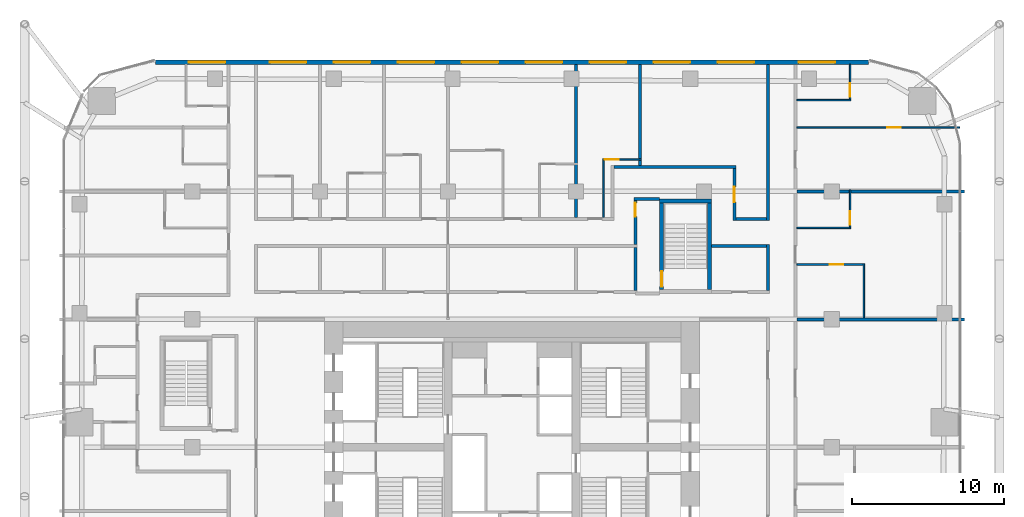
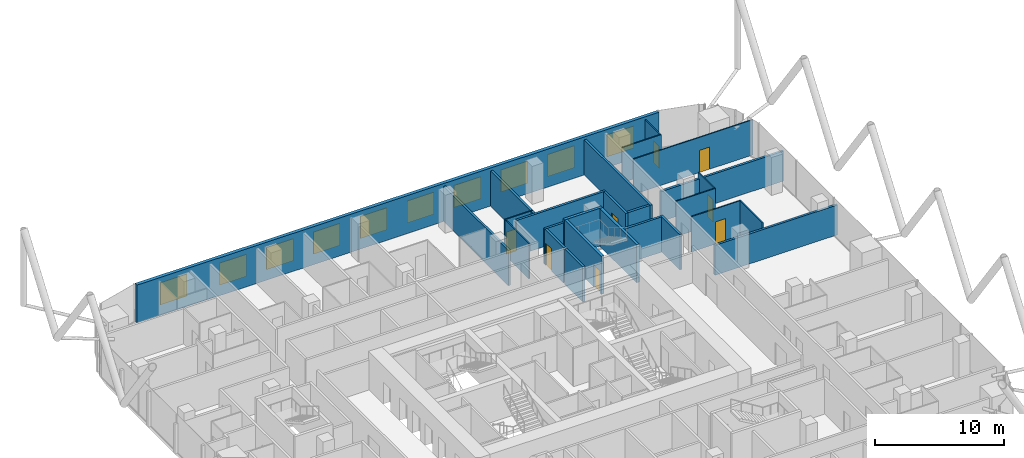
# One storey, part 35 of 38: 26 walls, 10 windows, 8 doors, 18 openings.
"""IFC4 building model written with IfcOpenShell, lengths in metres."""

from ifc_helpers import new_model, si_unit, direction, frame, frame_2d, origin, place, context, subcontext, project, spatial, rectangle, extrude, material, layer, layer_set, type_object, element, fill, save


model = new_model("IFC4")

# Units and contexts
model_context = context("Model", 3, precision=1e-05, world=origin(), true_north=direction((0.0, 1.0)))
body_context = subcontext(model_context, "Body", "Model", "MODEL_VIEW")
ifc_project = project(units=[si_unit("LENGTHUNIT", "METRE"), si_unit("AREAUNIT", "SQUARE_METRE"), si_unit("VOLUMEUNIT", "CUBIC_METRE"), si_unit("PLANEANGLEUNIT", "RADIAN"), si_unit("MASSUNIT", "GRAM", prefix="KILO")], contexts=[model_context])

# Site, building, storey
site_placement = place(None, origin())
site = spatial("IfcSite", under=ifc_project, at=site_placement, CompositionType="ELEMENT")
building_placement = place(site_placement, origin())
building = spatial("IfcBuilding", under=site, at=building_placement, Name="Marenta Gate Hotel Tower", CompositionType="ELEMENT")
storey_placement = place(building_placement, frame((0.0, 0.0, 54.5)))
storey = spatial("IfcBuildingStorey", under=building, at=storey_placement, Name="L11", CompositionType="ELEMENT", Elevation=54.5)

# Wall, openings, windows
ifc_material_1 = material(Name="Concrete C40 board-marked", Category="concrete")
ifc_layer_1 = layer(ifc_material_1, 0.300048828125)
ifc_layer_set_1 = layer_set([ifc_layer_1], Name="Concrete C40 board-marked")
wall_type_1 = type_object("IfcWallType", Name="Board-marked concrete wall 300 mm", PredefinedType="NOTDEFINED", material=ifc_layer_set_1)
wall_1_placement = place(storey_placement, frame((23.406005859375, 33.68994140625, 0.0), z_axis=(0.0, 0.0, 1.0), x_axis=(-1.0, 0.0, 0.0)))
wall_1 = element("IfcWall", 1, at=wall_1_placement, inside=storey, type_object=wall_type_1, Name="L11-CLD-N00", PredefinedType="NOTDEFINED", context=body_context, shape_type="SweptSolid", body=[
    extrude(rectangle(XDim=46.81201171875, YDim=0.300048828125, at=frame_2d((23.406005859375, 0.0))), origin(), (0.0, 0.0, 1.0), 3.60009765625),
])
opening_1_placement = place(wall_1_placement, frame((2.185791015625, 0.0, 0.89990234375)))
opening_1 = element("IfcOpeningElement", 2, at=opening_1_placement, cuts=wall_1, Name="Opening W1", PredefinedType="OPENING", context=body_context, shape_type="SweptSolid", body=[
    extrude(rectangle(XDim=2.39990234375, YDim=2.10009765625, at=frame_2d((1.199951171875, 1.050048828125))), frame((0.0, 0.14990234375, 0.0), z_axis=(0.0, -1.0, 0.0), x_axis=(1.0, 0.0, 0.0)), (0.0, 0.0, 1.0), 0.300048828125),
])
opening_2_placement = place(wall_1_placement, frame((7.505859375, 0.0, 0.89990234375)))
opening_2 = element("IfcOpeningElement", 3, at=opening_2_placement, cuts=wall_1, Name="Opening W1", PredefinedType="OPENING", context=body_context, shape_type="SweptSolid", body=[
    extrude(rectangle(XDim=2.39990234375, YDim=2.10009765625, at=frame_2d((1.199951171875, 1.050048828125))), frame((0.0, 0.14990234375, 0.0), z_axis=(0.0, -1.0, 0.0), x_axis=(1.0, 0.0, 0.0)), (0.0, 0.0, 1.0), 0.300048828125),
])
opening_3_placement = place(wall_1_placement, frame((11.705810546875, 0.0, 0.89990234375)))
opening_3 = element("IfcOpeningElement", 4, at=opening_3_placement, cuts=wall_1, Name="Opening W1", PredefinedType="OPENING", context=body_context, shape_type="SweptSolid", body=[
    extrude(rectangle(XDim=2.39990234375, YDim=2.10009765625, at=frame_2d((1.199951171875, 1.050048828125))), frame((0.0, 0.14990234375, 0.0), z_axis=(0.0, -1.0, 0.0), x_axis=(1.0, 0.0, 0.0)), (0.0, 0.0, 1.0), 0.300048828125),
])
opening_4_placement = place(wall_1_placement, frame((15.906005859375, 0.0, 0.89990234375)))
opening_4 = element("IfcOpeningElement", 5, at=opening_4_placement, cuts=wall_1, Name="Opening W1", PredefinedType="OPENING", context=body_context, shape_type="SweptSolid", body=[
    extrude(rectangle(XDim=2.39990234375, YDim=2.10009765625, at=frame_2d((1.199951171875, 1.050048828125))), frame((0.0, 0.14990234375, 0.0), z_axis=(0.0, -1.0, 0.0), x_axis=(1.0, 0.0, 0.0)), (0.0, 0.0, 1.0), 0.300048828125),
])
opening_5_placement = place(wall_1_placement, frame((20.10595703125, 0.0, 0.89990234375)))
opening_5 = element("IfcOpeningElement", 6, at=opening_5_placement, cuts=wall_1, Name="Opening W1", PredefinedType="OPENING", context=body_context, shape_type="SweptSolid", body=[
    extrude(rectangle(XDim=2.39990234375, YDim=2.10009765625, at=frame_2d((1.199951171875, 1.050048828125))), frame((0.0, 0.14990234375, 0.0), z_axis=(0.0, -1.0, 0.0), x_axis=(1.0, 0.0, 0.0)), (0.0, 0.0, 1.0), 0.300048828125),
])
opening_6_placement = place(wall_1_placement, frame((24.305908203125, 0.0, 0.89990234375)))
opening_6 = element("IfcOpeningElement", 7, at=opening_6_placement, cuts=wall_1, Name="Opening W1", PredefinedType="OPENING", context=body_context, shape_type="SweptSolid", body=[
    extrude(rectangle(XDim=2.39990234375, YDim=2.10009765625, at=frame_2d((1.199951171875, 1.050048828125))), frame((0.0, 0.14990234375, 0.0), z_axis=(0.0, -1.0, 0.0), x_axis=(1.0, 0.0, 0.0)), (0.0, 0.0, 1.0), 0.300048828125),
])
opening_7_placement = place(wall_1_placement, frame((28.505859375, 0.0, 0.89990234375)))
opening_7 = element("IfcOpeningElement", 8, at=opening_7_placement, cuts=wall_1, Name="Opening W1", PredefinedType="OPENING", context=body_context, shape_type="SweptSolid", body=[
    extrude(rectangle(XDim=2.39990234375, YDim=2.10009765625, at=frame_2d((1.199951171875, 1.050048828125))), frame((0.0, 0.14990234375, 0.0), z_axis=(0.0, -1.0, 0.0), x_axis=(1.0, 0.0, 0.0)), (0.0, 0.0, 1.0), 0.300048828125),
])
opening_8_placement = place(wall_1_placement, frame((32.705810546875, 0.0, 0.89990234375)))
opening_8 = element("IfcOpeningElement", 9, at=opening_8_placement, cuts=wall_1, Name="Opening W1", PredefinedType="OPENING", context=body_context, shape_type="SweptSolid", body=[
    extrude(rectangle(XDim=2.39990234375, YDim=2.10009765625, at=frame_2d((1.199951171875, 1.050048828125))), frame((0.0, 0.14990234375, 0.0), z_axis=(0.0, -1.0, 0.0), x_axis=(1.0, 0.0, 0.0)), (0.0, 0.0, 1.0), 0.300048828125),
])
opening_9_placement = place(wall_1_placement, frame((36.906005859375, 0.0, 0.89990234375)))
opening_9 = element("IfcOpeningElement", 10, at=opening_9_placement, cuts=wall_1, Name="Opening W1", PredefinedType="OPENING", context=body_context, shape_type="SweptSolid", body=[
    extrude(rectangle(XDim=2.39990234375, YDim=2.10009765625, at=frame_2d((1.199951171875, 1.050048828125))), frame((0.0, 0.14990234375, 0.0), z_axis=(0.0, -1.0, 0.0), x_axis=(1.0, 0.0, 0.0)), (0.0, 0.0, 1.0), 0.300048828125),
])
opening_10_placement = place(wall_1_placement, frame((42.225830078125, 0.0, 0.89990234375)))
opening_10 = element("IfcOpeningElement", 11, at=opening_10_placement, cuts=wall_1, Name="Opening W1", PredefinedType="OPENING", context=body_context, shape_type="SweptSolid", body=[
    extrude(rectangle(XDim=2.39990234375, YDim=2.10009765625, at=frame_2d((1.199951171875, 1.050048828125))), frame((0.0, 0.14990234375, 0.0), z_axis=(0.0, -1.0, 0.0), x_axis=(1.0, 0.0, 0.0)), (0.0, 0.0, 1.0), 0.300048828125),
])
ifc_material_2 = material(Name="Tinted insulated glass in bronze anodised frame", Category="glass")
window_type = type_object("IfcWindowType", Name="Window W1 2400x2100 bronze frame", PartitioningType="SINGLE_PANEL", PredefinedType="WINDOW", material=ifc_material_2)
window_1_placement = place(opening_1_placement, origin())
window_1 = element("IfcWindow", 12, at=window_1_placement, inside=storey, type_object=window_type, Name="Window W1", OverallHeight=2.10009765625, OverallWidth=2.39990234375, PartitioningType="SINGLE_PANEL", PredefinedType="WINDOW", context=body_context, shape_type="SweptSolid", body=[
    extrude(rectangle(XDim=2.39990234375, YDim=2.10009765625, at=frame_2d((1.199951171875, 1.050048828125))), frame((0.0, 0.030029296875, 0.0), z_axis=(0.0, -1.0, 0.0), x_axis=(1.0, 0.0, 0.0)), (0.0, 0.0, 1.0), 0.06005859375),
])
fill(opening_1, window_1)
window_2_placement = place(opening_2_placement, origin())
window_2 = element("IfcWindow", 13, at=window_2_placement, inside=storey, type_object=window_type, Name="Window W1", OverallHeight=2.10009765625, OverallWidth=2.39990234375, PartitioningType="SINGLE_PANEL", PredefinedType="WINDOW", context=body_context, shape_type="SweptSolid", body=[
    extrude(rectangle(XDim=2.39990234375, YDim=2.10009765625, at=frame_2d((1.199951171875, 1.050048828125))), frame((0.0, 0.030029296875, 0.0), z_axis=(0.0, -1.0, 0.0), x_axis=(1.0, 0.0, 0.0)), (0.0, 0.0, 1.0), 0.06005859375),
])
fill(opening_2, window_2)
window_3_placement = place(opening_3_placement, origin())
window_3 = element("IfcWindow", 14, at=window_3_placement, inside=storey, type_object=window_type, Name="Window W1", OverallHeight=2.10009765625, OverallWidth=2.39990234375, PartitioningType="SINGLE_PANEL", PredefinedType="WINDOW", context=body_context, shape_type="SweptSolid", body=[
    extrude(rectangle(XDim=2.39990234375, YDim=2.10009765625, at=frame_2d((1.199951171875, 1.050048828125))), frame((0.0, 0.030029296875, 0.0), z_axis=(0.0, -1.0, 0.0), x_axis=(1.0, 0.0, 0.0)), (0.0, 0.0, 1.0), 0.06005859375),
])
fill(opening_3, window_3)
window_4_placement = place(opening_4_placement, origin())
window_4 = element("IfcWindow", 15, at=window_4_placement, inside=storey, type_object=window_type, Name="Window W1", OverallHeight=2.10009765625, OverallWidth=2.39990234375, PartitioningType="SINGLE_PANEL", PredefinedType="WINDOW", context=body_context, shape_type="SweptSolid", body=[
    extrude(rectangle(XDim=2.39990234375, YDim=2.10009765625, at=frame_2d((1.199951171875, 1.050048828125))), frame((0.0, 0.030029296875, 0.0), z_axis=(0.0, -1.0, 0.0), x_axis=(1.0, 0.0, 0.0)), (0.0, 0.0, 1.0), 0.06005859375),
])
fill(opening_4, window_4)
window_5_placement = place(opening_5_placement, origin())
window_5 = element("IfcWindow", 16, at=window_5_placement, inside=storey, type_object=window_type, Name="Window W1", OverallHeight=2.10009765625, OverallWidth=2.39990234375, PartitioningType="SINGLE_PANEL", PredefinedType="WINDOW", context=body_context, shape_type="SweptSolid", body=[
    extrude(rectangle(XDim=2.39990234375, YDim=2.10009765625, at=frame_2d((1.199951171875, 1.050048828125))), frame((0.0, 0.030029296875, 0.0), z_axis=(0.0, -1.0, 0.0), x_axis=(1.0, 0.0, 0.0)), (0.0, 0.0, 1.0), 0.06005859375),
])
fill(opening_5, window_5)
window_6_placement = place(opening_6_placement, origin())
window_6 = element("IfcWindow", 17, at=window_6_placement, inside=storey, type_object=window_type, Name="Window W1", OverallHeight=2.10009765625, OverallWidth=2.39990234375, PartitioningType="SINGLE_PANEL", PredefinedType="WINDOW", context=body_context, shape_type="SweptSolid", body=[
    extrude(rectangle(XDim=2.39990234375, YDim=2.10009765625, at=frame_2d((1.199951171875, 1.050048828125))), frame((0.0, 0.030029296875, 0.0), z_axis=(0.0, -1.0, 0.0), x_axis=(1.0, 0.0, 0.0)), (0.0, 0.0, 1.0), 0.06005859375),
])
fill(opening_6, window_6)
window_7_placement = place(opening_7_placement, origin())
window_7 = element("IfcWindow", 18, at=window_7_placement, inside=storey, type_object=window_type, Name="Window W1", OverallHeight=2.10009765625, OverallWidth=2.39990234375, PartitioningType="SINGLE_PANEL", PredefinedType="WINDOW", context=body_context, shape_type="SweptSolid", body=[
    extrude(rectangle(XDim=2.39990234375, YDim=2.10009765625, at=frame_2d((1.199951171875, 1.050048828125))), frame((0.0, 0.030029296875, 0.0), z_axis=(0.0, -1.0, 0.0), x_axis=(1.0, 0.0, 0.0)), (0.0, 0.0, 1.0), 0.06005859375),
])
fill(opening_7, window_7)
window_8_placement = place(opening_8_placement, origin())
window_8 = element("IfcWindow", 19, at=window_8_placement, inside=storey, type_object=window_type, Name="Window W1", OverallHeight=2.10009765625, OverallWidth=2.39990234375, PartitioningType="SINGLE_PANEL", PredefinedType="WINDOW", context=body_context, shape_type="SweptSolid", body=[
    extrude(rectangle(XDim=2.39990234375, YDim=2.10009765625, at=frame_2d((1.199951171875, 1.050048828125))), frame((0.0, 0.030029296875, 0.0), z_axis=(0.0, -1.0, 0.0), x_axis=(1.0, 0.0, 0.0)), (0.0, 0.0, 1.0), 0.06005859375),
])
fill(opening_8, window_8)
window_9_placement = place(opening_9_placement, origin())
window_9 = element("IfcWindow", 20, at=window_9_placement, inside=storey, type_object=window_type, Name="Window W1", OverallHeight=2.10009765625, OverallWidth=2.39990234375, PartitioningType="SINGLE_PANEL", PredefinedType="WINDOW", context=body_context, shape_type="SweptSolid", body=[
    extrude(rectangle(XDim=2.39990234375, YDim=2.10009765625, at=frame_2d((1.199951171875, 1.050048828125))), frame((0.0, 0.030029296875, 0.0), z_axis=(0.0, -1.0, 0.0), x_axis=(1.0, 0.0, 0.0)), (0.0, 0.0, 1.0), 0.06005859375),
])
fill(opening_9, window_9)
window_10_placement = place(opening_10_placement, origin())
window_10 = element("IfcWindow", 21, at=window_10_placement, inside=storey, type_object=window_type, Name="Window W1", OverallHeight=2.10009765625, OverallWidth=2.39990234375, PartitioningType="SINGLE_PANEL", PredefinedType="WINDOW", context=body_context, shape_type="SweptSolid", body=[
    extrude(rectangle(XDim=2.39990234375, YDim=2.10009765625, at=frame_2d((1.199951171875, 1.050048828125))), frame((0.0, 0.030029296875, 0.0), z_axis=(0.0, -1.0, 0.0), x_axis=(1.0, 0.0, 0.0)), (0.0, 0.0, 1.0), 0.06005859375),
])
fill(opening_10, window_10)

# Wall
ifc_material_3 = material(Name="Concrete C40", Category="concrete")
ifc_layer_2 = layer(ifc_material_3, 0.25)
ifc_layer_set_2 = layer_set([ifc_layer_2], Name="Concrete C40")
wall_type_2 = type_object("IfcWallType", Name="Remote stair enclosure wall 250 REI 180", PredefinedType="SHEAR", material=ifc_layer_set_2)
wall_2_placement = place(storey_placement, frame((9.699951171875, 24.574951171875, 0.10009765625), z_axis=(0.0, 0.0, 1.0), x_axis=(1.0, 0.0, 0.0)))
element("IfcWall", 22, at=wall_2_placement, inside=storey, type_object=wall_type_2, Name="L11-RS-Z1-4-W2", PredefinedType="SHEAR", context=body_context, shape_type="SweptSolid", body=[
    extrude(rectangle(XDim=3.400146484375, YDim=0.25, at=frame_2d((1.7001953125, 0.0))), origin(), (0.0, 0.0, 1.0), 3.599853515625),
])

# Wall, opening, door
wall_3_placement = place(storey_placement, frame((9.824951171875, 18.75, 0.10009765625), z_axis=(0.0, 0.0, 1.0), x_axis=(0.0, 1.0, 0.0)))
wall_3 = element("IfcWall", 23, at=wall_3_placement, inside=storey, type_object=wall_type_2, Name="L11-RS-Z1-4-W3", PredefinedType="SHEAR", context=body_context, shape_type="SweptSolid", body=[
    extrude(rectangle(XDim=5.699951171875, YDim=0.25, at=frame_2d((2.85009765625, 0.0))), origin(), (0.0, 0.0, 1.0), 3.599853515625),
])
opening_11_placement = place(wall_3_placement, frame((0.199951171875, 0.0, 0.0)))
opening_11 = element("IfcOpeningElement", 24, at=opening_11_placement, cuts=wall_3, Name="Opening VD", PredefinedType="OPENING", context=body_context, shape_type="SweptSolid", body=[
    extrude(rectangle(XDim=1.0, YDim=2.10009765625, at=frame_2d((0.5, 1.050048828125))), frame((0.0, 0.125, 0.0), z_axis=(0.0, -1.0, 0.0), x_axis=(1.0, 0.0, 0.0)), (0.0, 0.0, 1.0), 0.25),
])
ifc_material_4 = material(Name="Steel", Category="steel")
door_type_1 = type_object("IfcDoorType", Name="Stair vestibule door 1000x2100 FD60", OperationType="SINGLE_SWING_LEFT", PredefinedType="DOOR", material=ifc_material_4)
door_1_placement = place(opening_11_placement, origin())
door_1 = element("IfcDoor", 25, at=door_1_placement, inside=storey, type_object=door_type_1, Name="VD", OperationType="SINGLE_SWING_LEFT", OverallHeight=2.10009765625, OverallWidth=1.0, PredefinedType="DOOR", context=body_context, shape_type="SweptSolid", body=[
    extrude(rectangle(XDim=1.0, YDim=2.10009765625, at=frame_2d((0.5, 1.050048828125))), frame((0.0, 0.02490234375, 0.0), z_axis=(0.0, -1.0, 0.0), x_axis=(1.0, 0.0, 0.0)), (0.0, 0.0, 1.0), 0.050048828125),
])
fill(opening_11, door_1)

# Walls
wall_4_placement = place(storey_placement, frame((12.97509765625, 18.75, 0.10009765625), z_axis=(0.0, 0.0, 1.0), x_axis=(0.0, 1.0, 0.0)))
element("IfcWall", 26, at=wall_4_placement, inside=storey, type_object=wall_type_2, Name="L11-RS-Z1-4-W4", PredefinedType="SHEAR", context=body_context, shape_type="SweptSolid", body=[
    extrude(rectangle(XDim=5.699951171875, YDim=0.25, at=frame_2d((2.85009765625, 0.0))), origin(), (0.0, 0.0, 1.0), 3.599853515625),
])
ifc_material_5 = material(Name="Gypsum board on steel stud", Category="steel")
ifc_layer_3 = layer(ifc_material_5, 0.199951171875)
ifc_layer_set_3 = layer_set([ifc_layer_3], Name="Gypsum board on steel stud")
wall_type_3 = type_object("IfcWallType", Name="Room corridor wall 200 EI 60", PredefinedType="PARTITIONING", material=ifc_layer_set_3)
wall_5_placement = place(storey_placement, frame((16.800048828125, 18.699951171875, 0.0), z_axis=(0.0, 0.0, 1.0), x_axis=(0.0, 1.0, 0.0)))
element("IfcWall", 27, at=wall_5_placement, inside=storey, type_object=wall_type_3, Name="L11-PTN-W012", PredefinedType="PARTITIONING", context=body_context, shape_type="SweptSolid", body=[
    extrude(rectangle(XDim=3.0, YDim=0.199951171875, at=frame_2d((1.5, 0.0))), origin(), (0.0, 0.0, 1.0), 3.340087890625),
])
wall_6_placement = place(storey_placement, frame((16.800048828125, 23.300048828125, 0.0), z_axis=(0.0, 0.0, 1.0), x_axis=(0.0, 1.0, 0.0)))
element("IfcWall", 28, at=wall_6_placement, inside=storey, type_object=wall_type_3, Name="L11-PTN-W013", PredefinedType="PARTITIONING", context=body_context, shape_type="SweptSolid", body=[
    extrude(rectangle(XDim=10.239990234375, YDim=0.199951171875, at=frame_2d((5.1201171875, 0.0))), origin(), (0.0, 0.0, 1.0), 3.340087890625),
])

# Wall, opening, door
wall_7_placement = place(storey_placement, frame((14.60009765625, 23.300048828125, 0.0), z_axis=(0.0, 0.0, 1.0), x_axis=(0.0, 1.0, 0.0)))
wall_7 = element("IfcWall", 29, at=wall_7_placement, inside=storey, type_object=wall_type_3, Name="L11-PTN-W025", PredefinedType="PARTITIONING", context=body_context, shape_type="SweptSolid", body=[
    extrude(rectangle(XDim=3.39990234375, YDim=0.199951171875, at=frame_2d((1.699951171875, 0.0))), origin(), (0.0, 0.0, 1.0), 3.340087890625),
])
opening_12_placement = place(wall_7_placement, frame((1.199951171875, 0.0, 0.0)))
opening_12 = element("IfcOpeningElement", 30, at=opening_12_placement, cuts=wall_7, Name="Opening G04-71", PredefinedType="OPENING", context=body_context, shape_type="SweptSolid", body=[
    extrude(rectangle(XDim=1.0, YDim=2.10009765625, at=frame_2d((0.5, 1.050048828125))), frame((0.0, 0.10009765625, 0.0), z_axis=(0.0, -1.0, 0.0), x_axis=(1.0, 0.0, 0.0)), (0.0, 0.0, 1.0), 0.199951171875),
])
ifc_material_6 = material(Name="Timber door leaf", Category="wood")
door_type_2 = type_object("IfcDoorType", Name="Room amenity door 1000x2100 EI 30", OperationType="NOTDEFINED", PredefinedType="DOOR", material=ifc_material_6)
door_2_placement = place(opening_12_placement, origin())
door_2 = element("IfcDoor", 31, at=door_2_placement, inside=storey, type_object=door_type_2, Name="L11-PD-D071", OperationType="SINGLE_SWING_LEFT", OverallHeight=2.10009765625, OverallWidth=1.0, PredefinedType="DOOR", context=body_context, shape_type="SweptSolid", body=[
    extrude(rectangle(XDim=1.0, YDim=2.10009765625, at=frame_2d((0.5, 1.050048828125))), frame((0.0, 0.02490234375, 0.0), z_axis=(0.0, -1.0, 0.0), x_axis=(1.0, 0.0, 0.0)), (0.0, 0.0, 1.0), 0.050048828125),
])
fill(opening_12, door_2)

# Walls
wall_8_placement = place(storey_placement, frame((13.10009765625, 21.60009765625, 0.0), z_axis=(0.0, 0.0, 1.0), x_axis=(1.0, 0.0, 0.0)))
element("IfcWall", 32, at=wall_8_placement, inside=storey, type_object=wall_type_3, Name="L11-PTN-W128", PredefinedType="PARTITIONING", context=body_context, shape_type="SweptSolid", body=[
    extrude(rectangle(XDim=3.599853515625, YDim=0.199951171875, at=frame_2d((1.7998046875, 0.0))), origin(), (0.0, 0.0, 1.0), 3.340087890625),
])
wall_9_placement = place(storey_placement, frame((14.699951171875, 23.39990234375, 0.0), z_axis=(0.0, 0.0, 1.0), x_axis=(1.0, 0.0, 0.0)))
element("IfcWall", 33, at=wall_9_placement, inside=storey, type_object=wall_type_3, Name="L11-PTN-W136", PredefinedType="PARTITIONING", context=body_context, shape_type="SweptSolid", body=[
    extrude(rectangle(XDim=2.0, YDim=0.199951171875, at=frame_2d((1.0, 0.0))), origin(), (0.0, 0.0, 1.0), 3.340087890625),
])
wall_10_placement = place(storey_placement, frame((6.699951171875, 26.800048828125, 0.0), z_axis=(0.0, 0.0, 1.0), x_axis=(1.0, 0.0, 0.0)))
element("IfcWall", 34, at=wall_10_placement, inside=storey, type_object=wall_type_3, Name="L11-PTN-W143", PredefinedType="PARTITIONING", context=body_context, shape_type="SweptSolid", body=[
    extrude(rectangle(XDim=8.0, YDim=0.199951171875, at=frame_2d((4.0, 0.0))), origin(), (0.0, 0.0, 1.0), 3.340087890625),
])

# Wall, opening, door
ifc_material_7 = material(Name="Concrete blockwork", Category="masonry")
ifc_layer_4 = layer(ifc_material_7, 0.199951171875)
ifc_layer_set_4 = layer_set([ifc_layer_4], Name="Concrete blockwork")
wall_type_4 = type_object("IfcWallType", Name="Room corridor wall 200 REI 180", PredefinedType="PARTITIONING", material=ifc_layer_set_4)
wall_11_placement = place(storey_placement, frame((8.10009765625, 21.699951171875, 0.0), z_axis=(0.0, 0.0, 1.0), x_axis=(0.0, 1.0, 0.0)))
wall_11 = element("IfcWall", 35, at=wall_11_placement, inside=storey, type_object=wall_type_4, Name="L11-PTN-W042", PredefinedType="PARTITIONING", context=body_context, shape_type="SweptSolid", body=[
    extrude(rectangle(XDim=2.900146484375, YDim=0.199951171875, at=frame_2d((1.4501953125, 0.0))), origin(), (0.0, 0.0, 1.0), 3.340087890625),
])
opening_13_placement = place(wall_11_placement, frame((1.85009765625, 0.0, 0.0)))
opening_13 = element("IfcOpeningElement", 36, at=opening_13_placement, cuts=wall_11, Name="Opening G04-70", PredefinedType="OPENING", context=body_context, shape_type="SweptSolid", body=[
    extrude(rectangle(XDim=0.89990234375, YDim=2.10009765625, at=frame_2d((0.449951171875, 1.050048828125))), frame((0.0, 0.10009765625, 0.0), z_axis=(0.0, -1.0, 0.0), x_axis=(1.0, 0.0, 0.0)), (0.0, 0.0, 1.0), 0.199951171875),
])
ifc_material_8 = material(Name="Hollow steel door set", Category="steel")
door_type_3 = type_object("IfcDoorType", Name="Stair vestibule door 900x2100 EI 60", OperationType="NOTDEFINED", PredefinedType="DOOR", material=ifc_material_8)
door_3_placement = place(opening_13_placement, origin())
door_3 = element("IfcDoor", 37, at=door_3_placement, inside=storey, type_object=door_type_3, Name="L11-PD-D070", OperationType="SINGLE_SWING_LEFT", OverallHeight=2.10009765625, OverallWidth=0.89990234375, PredefinedType="DOOR", context=body_context, shape_type="SweptSolid", body=[
    extrude(rectangle(XDim=0.89990234375, YDim=2.10009765625, at=frame_2d((0.449951171875, 1.050048828125))), frame((0.0, 0.02490234375, 0.0), z_axis=(0.0, -1.0, 0.0), x_axis=(1.0, 0.0, 0.0)), (0.0, 0.0, 1.0), 0.050048828125),
])
fill(opening_13, door_3)

# Walls
wall_12_placement = place(storey_placement, frame((8.0, 24.699951171875, 0.0), z_axis=(0.0, 0.0, 1.0), x_axis=(1.0, 0.0, 0.0)))
element("IfcWall", 38, at=wall_12_placement, inside=storey, type_object=wall_type_4, Name="L11-PTN-W138", PredefinedType="PARTITIONING", context=body_context, shape_type="SweptSolid", body=[
    extrude(rectangle(XDim=1.699951171875, YDim=0.199951171875, at=frame_2d((0.85009765625, 0.0))), origin(), (0.0, 0.0, 1.0), 3.340087890625),
])
ifc_material_9 = material(Name="Gypsum board on steel stud", Category="steel")
ifc_layer_5 = layer(ifc_material_9, 0.10009765625)
ifc_layer_set_5 = layer_set([ifc_layer_5], Name="Gypsum board on steel stud")
wall_type_5 = type_object("IfcWallType", Name="Room partition 100", PredefinedType="PARTITIONING", material=ifc_layer_set_5)
wall_13_placement = place(storey_placement, frame((23.10009765625, 16.89990234375, 0.0), z_axis=(0.0, 0.0, 1.0), x_axis=(0.0, 1.0, 0.0)))
element("IfcWall", 39, at=wall_13_placement, inside=storey, type_object=wall_type_5, Name="L11-PTN-W001", PredefinedType="PARTITIONING", context=body_context, shape_type="SweptSolid", body=[
    extrude(rectangle(XDim=3.550048828125, YDim=0.10009765625, at=frame_2d((1.77490234375, 0.0))), origin(), (0.0, 0.0, 1.0), 3.340087890625),
])

# Wall, opening, door
wall_14_placement = place(storey_placement, frame((22.199951171875, 22.85009765625, 0.0), z_axis=(0.0, 0.0, 1.0), x_axis=(0.0, 1.0, 0.0)))
wall_14 = element("IfcWall", 40, at=wall_14_placement, inside=storey, type_object=wall_type_5, Name="L11-PTN-W005", PredefinedType="PARTITIONING", context=body_context, shape_type="SweptSolid", body=[
    extrude(rectangle(XDim=2.449951171875, YDim=0.10009765625, at=frame_2d((1.22509765625, 0.0))), origin(), (0.0, 0.0, 1.0), 3.340087890625),
])
opening_14_placement = place(wall_14_placement, frame((0.14990234375, 0.0, 0.0)))
opening_14 = element("IfcOpeningElement", 41, at=opening_14_placement, cuts=wall_14, Name="Opening G04-25", PredefinedType="OPENING", context=body_context, shape_type="SweptSolid", body=[
    extrude(rectangle(XDim=0.89990234375, YDim=2.10009765625, at=frame_2d((0.449951171875, 1.050048828125))), frame((0.0, 0.050048828125, 0.0), z_axis=(0.0, -1.0, 0.0), x_axis=(1.0, 0.0, 0.0)), (0.0, 0.0, 1.0), 0.10009765625),
])
ifc_material_10 = material(Name="Timber door leaf", Category="wood")
door_type_4 = type_object("IfcDoorType", Name="Room inner door 900x2100", OperationType="NOTDEFINED", PredefinedType="DOOR", material=ifc_material_10)
door_4_placement = place(opening_14_placement, origin())
door_4 = element("IfcDoor", 42, at=door_4_placement, inside=storey, type_object=door_type_4, Name="L11-PD-D025", OperationType="SINGLE_SWING_LEFT", OverallHeight=2.10009765625, OverallWidth=0.89990234375, PredefinedType="DOOR", context=body_context, shape_type="SweptSolid", body=[
    extrude(rectangle(XDim=0.89990234375, YDim=2.10009765625, at=frame_2d((0.449951171875, 1.050048828125))), frame((0.0, 0.02490234375, 0.0), z_axis=(0.0, -1.0, 0.0), x_axis=(1.0, 0.0, 0.0)), (0.0, 0.0, 1.0), 0.050048828125),
])
fill(opening_14, door_4)

wall_15_placement = place(storey_placement, frame((22.199951171875, 31.25, 0.0), z_axis=(0.0, 0.0, 1.0), x_axis=(0.0, 1.0, 0.0)))
wall_15 = element("IfcWall", 43, at=wall_15_placement, inside=storey, type_object=wall_type_5, Name="L11-PTN-W006", PredefinedType="PARTITIONING", context=body_context, shape_type="SweptSolid", body=[
    extrude(rectangle(XDim=2.2900390625, YDim=0.10009765625, at=frame_2d((1.14501953125, 0.0))), origin(), (0.0, 0.0, 1.0), 3.340087890625),
])
opening_15_placement = place(wall_15_placement, frame((0.14990234375, 0.0, 0.0)))
opening_15 = element("IfcOpeningElement", 44, at=opening_15_placement, cuts=wall_15, Name="Opening G04-28", PredefinedType="OPENING", context=body_context, shape_type="SweptSolid", body=[
    extrude(rectangle(XDim=0.89990234375, YDim=2.10009765625, at=frame_2d((0.449951171875, 1.050048828125))), frame((0.0, 0.050048828125, 0.0), z_axis=(0.0, -1.0, 0.0), x_axis=(1.0, 0.0, 0.0)), (0.0, 0.0, 1.0), 0.10009765625),
])
ifc_material_11 = material(Name="Timber door leaf", Category="wood")
door_type_5 = type_object("IfcDoorType", Name="Guest bathroom door 900x2100", OperationType="NOTDEFINED", PredefinedType="DOOR", material=ifc_material_11)
door_5_placement = place(opening_15_placement, origin())
door_5 = element("IfcDoor", 45, at=door_5_placement, inside=storey, type_object=door_type_5, Name="L11-PD-D028", OperationType="SINGLE_SWING_LEFT", OverallHeight=2.10009765625, OverallWidth=0.89990234375, PredefinedType="DOOR", context=body_context, shape_type="SweptSolid", body=[
    extrude(rectangle(XDim=0.89990234375, YDim=2.10009765625, at=frame_2d((0.449951171875, 1.050048828125))), frame((0.0, 0.02490234375, 0.0), z_axis=(0.0, -1.0, 0.0), x_axis=(1.0, 0.0, 0.0)), (0.0, 0.0, 1.0), 0.050048828125),
])
fill(opening_15, door_5)

# Wall
wall_16_placement = place(storey_placement, frame((6.0, 23.5, 0.0), z_axis=(0.0, 0.0, 1.0), x_axis=(0.0, 1.0, 0.0)))
element("IfcWall", 46, at=wall_16_placement, inside=storey, type_object=wall_type_5, Name="L11-PTN-W049", PredefinedType="PARTITIONING", context=body_context, shape_type="SweptSolid", body=[
    extrude(rectangle(XDim=3.75, YDim=0.10009765625, at=frame_2d((1.875, 0.0))), origin(), (0.0, 0.0, 1.0), 3.340087890625),
])

# Wall, opening, door
wall_17_placement = place(storey_placement, frame((18.699951171875, 20.39990234375, 0.0), z_axis=(0.0, 0.0, 1.0), x_axis=(1.0, 0.0, 0.0)))
wall_17 = element("IfcWall", 47, at=wall_17_placement, inside=storey, type_object=wall_type_5, Name="L11-PTN-W122", PredefinedType="PARTITIONING", context=body_context, shape_type="SweptSolid", body=[
    extrude(rectangle(XDim=4.35009765625, YDim=0.10009765625, at=frame_2d((2.175048828125, 0.0))), origin(), (0.0, 0.0, 1.0), 3.340087890625),
])
opening_16_placement = place(wall_17_placement, frame((2.14990234375, 0.0, 0.0)))
opening_16 = element("IfcOpeningElement", 48, at=opening_16_placement, cuts=wall_17, Name="Opening G04-24", PredefinedType="OPENING", context=body_context, shape_type="SweptSolid", body=[
    extrude(rectangle(XDim=0.89990234375, YDim=2.10009765625, at=frame_2d((0.449951171875, 1.050048828125))), frame((0.0, 0.050048828125, 0.0), z_axis=(0.0, -1.0, 0.0), x_axis=(1.0, 0.0, 0.0)), (0.0, 0.0, 1.0), 0.10009765625),
])
door_6_placement = place(opening_16_placement, origin())
door_6 = element("IfcDoor", 49, at=door_6_placement, inside=storey, type_object=door_type_5, Name="L11-PD-D024", OperationType="SINGLE_SWING_LEFT", OverallHeight=2.10009765625, OverallWidth=0.89990234375, PredefinedType="DOOR", context=body_context, shape_type="SweptSolid", body=[
    extrude(rectangle(XDim=0.89990234375, YDim=2.10009765625, at=frame_2d((0.449951171875, 1.050048828125))), frame((0.0, 0.02490234375, 0.0), z_axis=(0.0, -1.0, 0.0), x_axis=(1.0, 0.0, 0.0)), (0.0, 0.0, 1.0), 0.050048828125),
])
fill(opening_16, door_6)

# Wall
wall_18_placement = place(storey_placement, frame((18.699951171875, 22.800048828125, 0.0), z_axis=(0.0, 0.0, 1.0), x_axis=(1.0, 0.0, 0.0)))
element("IfcWall", 50, at=wall_18_placement, inside=storey, type_object=wall_type_5, Name="L11-PTN-W134", PredefinedType="PARTITIONING", context=body_context, shape_type="SweptSolid", body=[
    extrude(rectangle(XDim=3.550048828125, YDim=0.10009765625, at=frame_2d((1.77490234375, 0.0))), origin(), (0.0, 0.0, 1.0), 3.340087890625),
])

# Wall, opening, door
wall_19_placement = place(storey_placement, frame((5.949951171875, 27.300048828125, 0.0), z_axis=(0.0, 0.0, 1.0), x_axis=(1.0, 0.0, 0.0)))
wall_19 = element("IfcWall", 51, at=wall_19_placement, inside=storey, type_object=wall_type_5, Name="L11-PTN-W147", PredefinedType="PARTITIONING", context=body_context, shape_type="SweptSolid", body=[
    extrude(rectangle(XDim=2.550048828125, YDim=0.10009765625, at=frame_2d((1.27490234375, 0.0))), origin(), (0.0, 0.0, 1.0), 3.340087890625),
])
opening_17_placement = place(wall_19_placement, frame((0.14990234375, 0.0, 0.0)))
opening_17 = element("IfcOpeningElement", 52, at=opening_17_placement, cuts=wall_19, Name="Opening G04-39", PredefinedType="OPENING", context=body_context, shape_type="SweptSolid", body=[
    extrude(rectangle(XDim=0.89990234375, YDim=2.10009765625, at=frame_2d((0.449951171875, 1.050048828125))), frame((0.0, 0.050048828125, 0.0), z_axis=(0.0, -1.0, 0.0), x_axis=(1.0, 0.0, 0.0)), (0.0, 0.0, 1.0), 0.10009765625),
])
door_7_placement = place(opening_17_placement, origin())
door_7 = element("IfcDoor", 53, at=door_7_placement, inside=storey, type_object=door_type_5, Name="L11-PD-D039", OperationType="SINGLE_SWING_RIGHT", OverallHeight=2.10009765625, OverallWidth=0.89990234375, PredefinedType="DOOR", context=body_context, shape_type="SweptSolid", body=[
    extrude(rectangle(XDim=0.89990234375, YDim=2.10009765625, at=frame_2d((0.449951171875, 1.050048828125))), frame((0.0, 0.02490234375, 0.0), z_axis=(0.0, -1.0, 0.0), x_axis=(1.0, 0.0, 0.0)), (0.0, 0.0, 1.0), 0.050048828125),
])
fill(opening_17, door_7)

wall_20_placement = place(storey_placement, frame((18.699951171875, 29.39990234375, 0.0), z_axis=(0.0, 0.0, 1.0), x_axis=(1.0, 0.0, 0.0)))
wall_20 = element("IfcWall", 54, at=wall_20_placement, inside=storey, type_object=wall_type_5, Name="L11-PTN-W153", PredefinedType="PARTITIONING", context=body_context, shape_type="SweptSolid", body=[
    extrude(rectangle(XDim=10.693115234375, YDim=0.10009765625, at=frame_2d((5.3466796875, 0.0))), origin(), (0.0, 0.0, 1.0), 3.340087890625),
])
opening_18_placement = place(wall_20_placement, frame((5.929931640625, 0.0, 0.0)))
opening_18 = element("IfcOpeningElement", 55, at=opening_18_placement, cuts=wall_20, Name="Opening G04-27", PredefinedType="OPENING", context=body_context, shape_type="SweptSolid", body=[
    extrude(rectangle(XDim=0.89990234375, YDim=2.10009765625, at=frame_2d((0.449951171875, 1.050048828125))), frame((0.0, 0.050048828125, 0.0), z_axis=(0.0, -1.0, 0.0), x_axis=(1.0, 0.0, 0.0)), (0.0, 0.0, 1.0), 0.10009765625),
])
door_8_placement = place(opening_18_placement, origin())
door_8 = element("IfcDoor", 56, at=door_8_placement, inside=storey, type_object=door_type_4, Name="L11-PD-D027", OperationType="SINGLE_SWING_RIGHT", OverallHeight=2.10009765625, OverallWidth=0.89990234375, PredefinedType="DOOR", context=body_context, shape_type="SweptSolid", body=[
    extrude(rectangle(XDim=0.89990234375, YDim=2.10009765625, at=frame_2d((0.449951171875, 1.050048828125))), frame((0.0, 0.02490234375, 0.0), z_axis=(0.0, -1.0, 0.0), x_axis=(1.0, 0.0, 0.0)), (0.0, 0.0, 1.0), 0.050048828125),
])
fill(opening_18, door_8)

# Walls
wall_21_placement = place(storey_placement, frame((18.699951171875, 31.199951171875, 0.0), z_axis=(0.0, 0.0, 1.0), x_axis=(1.0, 0.0, 0.0)))
element("IfcWall", 57, at=wall_21_placement, inside=storey, type_object=wall_type_5, Name="L11-PTN-W155", PredefinedType="PARTITIONING", context=body_context, shape_type="SweptSolid", body=[
    extrude(rectangle(XDim=3.550048828125, YDim=0.10009765625, at=frame_2d((1.77490234375, 0.0))), origin(), (0.0, 0.0, 1.0), 3.340087890625),
])
ifc_material_12 = material(Name="Gypsum board on steel stud", Category="steel")
ifc_layer_6 = layer(ifc_material_12, 0.199951171875)
ifc_layer_set_6 = layer_set([ifc_layer_6], Name="Gypsum board on steel stud")
wall_type_6 = type_object("IfcWallType", Name="Room party wall 200 EI 60", PredefinedType="PARTITIONING", material=ifc_layer_set_6)
wall_22_placement = place(storey_placement, frame((8.39990234375, 26.89990234375, 0.0), z_axis=(0.0, 0.0, 1.0), x_axis=(0.0, 1.0, 0.0)))
element("IfcWall", 58, at=wall_22_placement, inside=storey, type_object=wall_type_6, Name="L11-PTN-W038", PredefinedType="PARTITIONING", context=body_context, shape_type="SweptSolid", body=[
    extrude(rectangle(XDim=6.64013671875, YDim=0.199951171875, at=frame_2d((3.320068359375, 0.0))), origin(), (0.0, 0.0, 1.0), 3.340087890625),
])
wall_23_placement = place(storey_placement, frame((4.199951171875, 23.5, 0.0), z_axis=(0.0, 0.0, 1.0), x_axis=(0.0, 1.0, 0.0)))
element("IfcWall", 59, at=wall_23_placement, inside=storey, type_object=wall_type_6, Name="L11-PTN-W055", PredefinedType="PARTITIONING", context=body_context, shape_type="SweptSolid", body=[
    extrude(rectangle(XDim=10.0400390625, YDim=0.199951171875, at=frame_2d((5.02001953125, 0.0))), origin(), (0.0, 0.0, 1.0), 3.340087890625),
])
for number, where, z_axis, x_axis, name in (
    (60, (18.699951171875, 16.800048828125, 0.0), (0.0, 0.0, 1.0), (1.0, 0.0, 0.0), "L11-PTN-W114"),
    (61, (18.699951171875, 25.199951171875, 0.0), (0.0, 0.0, 1.0), (1.0, 0.0, 0.0), "L11-PTN-W140"),
):
    element("IfcWall", number, at=place(storey_placement, frame(where, z_axis=z_axis, x_axis=x_axis)), inside=storey, type_object=wall_type_6, Name=name, PredefinedType="PARTITIONING", context=body_context, shape_type="SweptSolid", body=[
        extrude(rectangle(XDim=11.0, YDim=0.199951171875, at=frame_2d((5.5, 0.0))), origin(), (0.0, 0.0, 1.0), 2.840087890625),
    ])
ifc_material_13 = material(Name="Concrete blockwork", Category="masonry")
ifc_layer_7 = layer(ifc_material_13, 0.199951171875)
ifc_layer_set_7 = layer_set([ifc_layer_7], Name="Concrete blockwork")
wall_type_7 = type_object("IfcWallType", Name="Room party wall 200 REI 180", PredefinedType="PARTITIONING", material=ifc_layer_set_7)
wall_24_placement = place(storey_placement, frame((8.10009765625, 18.699951171875, 0.0), z_axis=(0.0, 0.0, 1.0), x_axis=(0.0, 1.0, 0.0)))
element("IfcWall", 62, at=wall_24_placement, inside=storey, type_object=wall_type_7, Name="L11-PTN-W041", PredefinedType="PARTITIONING", context=body_context, shape_type="SweptSolid", body=[
    extrude(rectangle(XDim=2.800048828125, YDim=0.199951171875, at=frame_2d((1.39990234375, 0.0))), origin(), (0.0, 0.0, 1.0), 3.340087890625),
])

save(model, "model.ifc")
